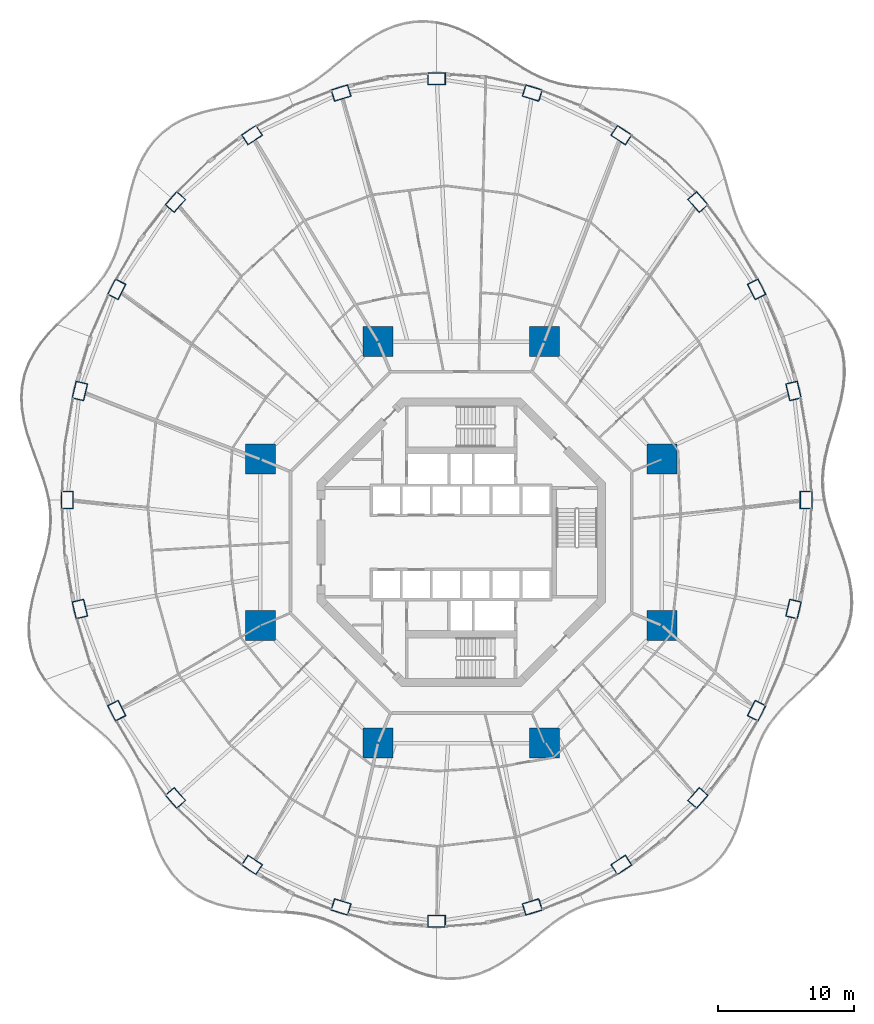
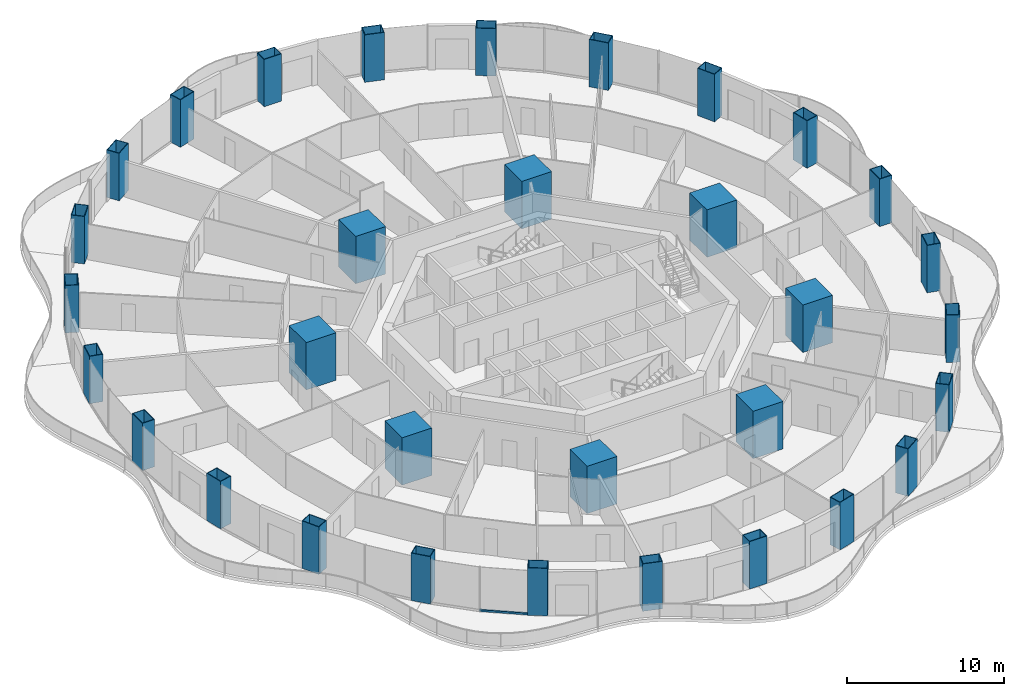
# One storey, part 1 of 24: 32 columns, 1 member, 1 element without a shape of its own.
"""IFC4 building model written with IfcOpenShell, lengths in metres."""

from ifc_helpers import new_model, si_unit, direction, frame, origin, origin_2d, place, context, subcontext, project, spatial, rectangle, hollow_rectangle, extrude, material, layer, layer_set, material_profile, profile_set, type_object, element, aggregate, save


model = new_model("IFC4")

# Units and contexts
model_context = context("Model", 3, precision=1e-05, world=origin(), true_north=direction((0.0, 1.0)))
body_context = subcontext(model_context, "Body", "Model", "MODEL_VIEW")
ifc_project = project(units=[si_unit("LENGTHUNIT", "METRE"), si_unit("AREAUNIT", "SQUARE_METRE"), si_unit("VOLUMEUNIT", "CUBIC_METRE"), si_unit("PLANEANGLEUNIT", "RADIAN"), si_unit("MASSUNIT", "GRAM", prefix="KILO")], contexts=[model_context])

# Site, building, storey
site_placement = place(None, origin())
site = spatial("IfcSite", under=ifc_project, at=site_placement, CompositionType="ELEMENT")
building_placement = place(site_placement, origin())
building = spatial("IfcBuilding", under=site, at=building_placement, Name="Nagisa Residences", CompositionType="ELEMENT")
storey_placement = place(building_placement, frame((0.0, 0.0, 102.89990234375)))
storey = spatial("IfcBuildingStorey", under=building, at=storey_placement, Name="L25", CompositionType="ELEMENT", Elevation=102.89990234375)

# Columns
ifc_material_1 = material(Name="Concrete C80", Category="concrete")
ifc_material_profile_1 = material_profile(ifc_material_1, rectangle(XDim=2.199951171875, YDim=2.199951171875, at=origin_2d()), Name="C80 2200x2200")
ifc_profile_set_1 = profile_set([ifc_material_profile_1], Name="Concrete C80")
column_type_1 = type_object("IfcColumnType", Name="Inner megacolumn C80 2200x2200", PredefinedType="COLUMN", material=ifc_profile_set_1)
for number, where, z_axis, x_axis, name in (
    (1, (14.781982421875, 6.123046875, 0.0), (0.0, 0.0, 1.0), (1.0, 0.0, 0.0), "col:L25:i1"),
    (2, (6.123046875, 14.781982421875, 0.0), (0.0, 0.0, 1.0), (1.0, 0.0, 0.0), "col:L25:i2"),
    (3, (-6.123046875, 14.781982421875, 0.0), (0.0, 0.0, 1.0), (1.0, 0.0, 0.0), "col:L25:i3"),
    (4, (-14.781982421875, 6.123046875, 0.0), (0.0, 0.0, 1.0), (1.0, 0.0, 0.0), "col:L25:i4"),
    (5, (-14.781982421875, -6.123046875, 0.0), (0.0, 0.0, 1.0), (1.0, 0.0, 0.0), "col:L25:i5"),
    (6, (-6.123046875, -14.781982421875, 0.0), (0.0, 0.0, 1.0), (1.0, 0.0, 0.0), "col:L25:i6"),
    (7, (6.123046875, -14.781982421875, 0.0), (0.0, 0.0, 1.0), (1.0, 0.0, 0.0), "col:L25:i7"),
    (8, (14.781982421875, -6.123046875, 0.0), (0.0, 0.0, 1.0), (1.0, 0.0, 0.0), "col:L25:i8"),
):
    element("IfcColumn", number, at=place(storey_placement, frame(where, z_axis=z_axis, x_axis=x_axis)), inside=storey, type_object=column_type_1, Name=name, PredefinedType="COLUMN", context=body_context, shape_type="SweptSolid", body=[
        extrude(rectangle(XDim=2.199951171875, YDim=2.199951171875, at=origin_2d()), origin(), (0.0, 0.0, 1.0), 3.7001953125),
    ])
ifc_material_2 = material(Name="Steel ASTM A572 Gr 50", Category="steel")
ifc_material_profile_2 = material_profile(ifc_material_2, hollow_rectangle(XDim=1.300048828125, YDim=0.89990234375, WallThickness=0.044921875, at=origin_2d()), Name="BX 1300x900x45")
ifc_profile_set_2 = profile_set([ifc_material_profile_2], Name="Steel ASTM A572 Gr 50")
column_type_2 = type_object("IfcColumnType", Name="Perimeter column BX 1300x900x45", PredefinedType="COLUMN", material=ifc_profile_set_2)
for number, where, z_axis, x_axis, name in (
    (9, (25.39501953125, 3.11767578125, 0.0), (0.0, 0.0, 1.0), (0.0, 1.0, 0.0), "col:L25:p00"),
    (10, (24.46826171875, 11.14501953125, 0.0), (0.0, 0.0, 1.0), (-0.229202013103, 0.973378876486, 0.0), "col:L25:p01"),
    (11, (21.75146484375, 18.625244140625, 0.0), (0.0, 0.0, 1.0), (-0.452462697578, 0.891783329795, 0.0), "col:L25:p02"),
    (12, (17.4296875, 25.048583984375, 0.0), (0.0, 0.0, 1.0), (-0.660114607735, 0.751164898445, 0.0), "col:L25:p03"),
    (13, (11.797607421875, 29.9775390625, 0.0), (0.0, 0.0, 1.0), (-0.835766105673, 0.54908561865, 0.0), "col:L25:p04"),
    (14, (5.238525390625, 33.075927734375, 0.0), (0.0, 0.0, 1.0), (-0.956524583408, 0.291651712384, 0.0), "col:L25:p05"),
    (15, (-1.800048828125, 34.1328125, 0.0), (0.0, 0.0, 1.0), (-1.0, 0.0, 0.0), "col:L25:p06"),
    (16, (-8.838623046875, 33.075927734375, 0.0), (0.0, 0.0, 1.0), (-0.956524583408, -0.291651712384, 0.0), "col:L25:p07"),
    (17, (-15.3974609375, 29.9775390625, 0.0), (0.0, 0.0, 1.0), (-0.835766105673, -0.54908561865, 0.0), "col:L25:p08"),
    (18, (-21.02978515625, 25.048583984375, 0.0), (0.0, 0.0, 1.0), (-0.660114607735, -0.751164898445, 0.0), "col:L25:p09"),
    (19, (-25.3515625, 18.625244140625, 0.0), (0.0, 0.0, 1.0), (-0.452462697578, -0.891783329795, 0.0), "col:L25:p10"),
    (20, (-28.068359375, 11.14501953125, 0.0), (0.0, 0.0, 1.0), (-0.229202013103, -0.973378876486, 0.0), "col:L25:p11"),
    (21, (-28.9951171875, 3.11767578125, 0.0), (0.0, 0.0, 1.0), (0.0, -1.0, 0.0), "col:L25:p12"),
    (22, (-28.068359375, -4.90966796875, 0.0), (0.0, 0.0, 1.0), (0.229202013103, -0.973378876486, 0.0), "col:L25:p13"),
    (23, (-25.3515625, -12.389892578125, 0.0), (0.0, 0.0, 1.0), (0.452462697578, -0.891783329795, 0.0), "col:L25:p14"),
    (24, (-21.02978515625, -18.813232421875, 0.0), (0.0, 0.0, 1.0), (0.660114607735, -0.751164898445, 0.0), "col:L25:p15"),
    (25, (-15.3974609375, -23.7421875, 0.0), (0.0, 0.0, 1.0), (0.835766105673, -0.54908561865, 0.0), "col:L25:p16"),
    (26, (-8.838623046875, -26.840576171875, 0.0), (0.0, 0.0, 1.0), (0.956524583408, -0.291651712384, 0.0), "col:L25:p17"),
    (27, (-1.800048828125, -27.897216796875, 0.0), (0.0, 0.0, 1.0), (1.0, 0.0, 0.0), "col:L25:p18"),
    (28, (5.238525390625, -26.840576171875, 0.0), (0.0, 0.0, 1.0), (0.956524583408, 0.291651712384, 0.0), "col:L25:p19"),
    (29, (11.797607421875, -23.7421875, 0.0), (0.0, 0.0, 1.0), (0.835766105673, 0.54908561865, 0.0), "col:L25:p20"),
    (30, (17.4296875, -18.813232421875, 0.0), (0.0, 0.0, 1.0), (0.660114607735, 0.751164898445, 0.0), "col:L25:p21"),
    (31, (21.75146484375, -12.389892578125, 0.0), (0.0, 0.0, 1.0), (0.452462697578, 0.891783329795, 0.0), "col:L25:p22"),
    (32, (24.46826171875, -4.90966796875, 0.0), (0.0, 0.0, 1.0), (0.229202013103, 0.973378876486, 0.0), "col:L25:p23"),
):
    element("IfcColumn", number, at=place(storey_placement, frame(where, z_axis=z_axis, x_axis=x_axis)), inside=storey, type_object=column_type_2, Name=name, PredefinedType="COLUMN", context=body_context, shape_type="SweptSolid", body=[
        extrude(hollow_rectangle(XDim=1.300048828125, YDim=0.89990234375, WallThickness=0.044921875, at=origin_2d()), origin(), (0.0, 0.0, 1.0), 3.7001953125),
    ])

# Curtain wall, member
ifc_material_3 = material(Name="Concrete-coloured aluminium curtain wall system", Category="concrete")
ifc_layer = layer(ifc_material_3, 0.159912109375)
ifc_layer_set = layer_set([ifc_layer], Name="CW1 CURTAIN WALL")
curtain_wall_type = type_object("IfcCurtainWallType", Name="CW1 CURTAIN WALL", PredefinedType="NOTDEFINED", material=ifc_layer_set)
curtain_wall_placement = place(storey_placement, origin())
curtain_wall = element("IfcCurtainWall", 33, at=curtain_wall_placement, inside=storey, type_object=curtain_wall_type, Name="cw:CW1:L25:31", PredefinedType="NOTDEFINED")
ifc_material_4 = material(Name="Concrete-coloured aluminium", Category="concrete")
ifc_material_profile_3 = material_profile(ifc_material_4, rectangle(XDim=0.1201171875, YDim=0.14990234375, at=origin_2d()), Name="CW1 TRANSOM 120x150")
ifc_profile_set_3 = profile_set([ifc_material_profile_3], Name="Concrete-coloured aluminium")
member_type = type_object("IfcMemberType", Name="CW1 TRANSOM 120x150", PredefinedType="USERDEFINED", material=ifc_profile_set_3)
member_placement = place(storey_placement, frame((-18.611328125, -21.821044921875, 0.0751953125), z_axis=(0.796028580718, -0.605259034365, 0.0), x_axis=(0.605259034365, 0.796028580718, 0.0)))
member = element("IfcMember", 34, at=member_placement, type_object=member_type, Name="CW1 transom", ObjectType="TRANSOM", PredefinedType="USERDEFINED", context=body_context, shape_type="SweptSolid", body=[
    extrude(rectangle(XDim=0.1201171875, YDim=0.14990234375, at=origin_2d()), origin(), (0.0, 0.0, 1.0), 3.134033203125),
])
aggregate(curtain_wall, [member])

save(model, "model.ifc")
